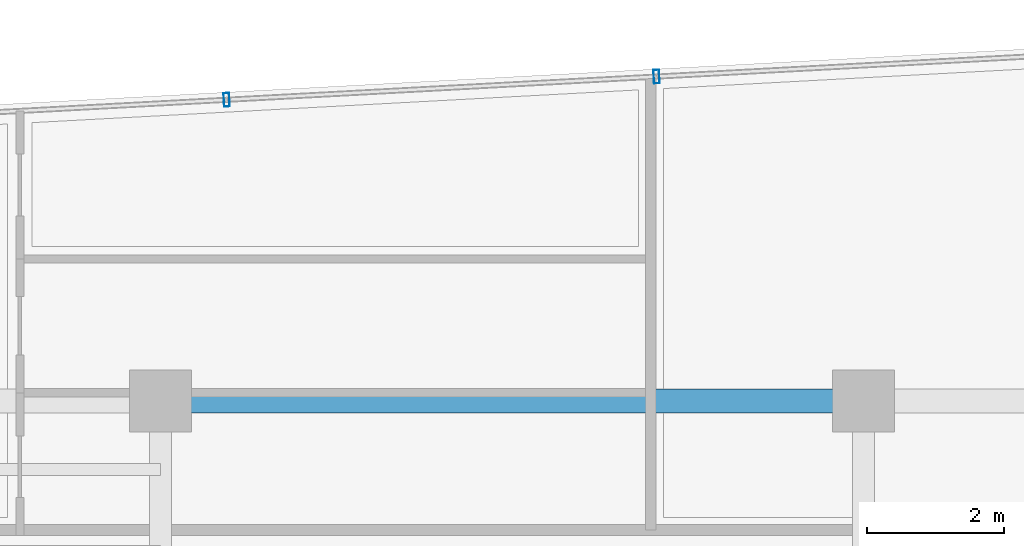
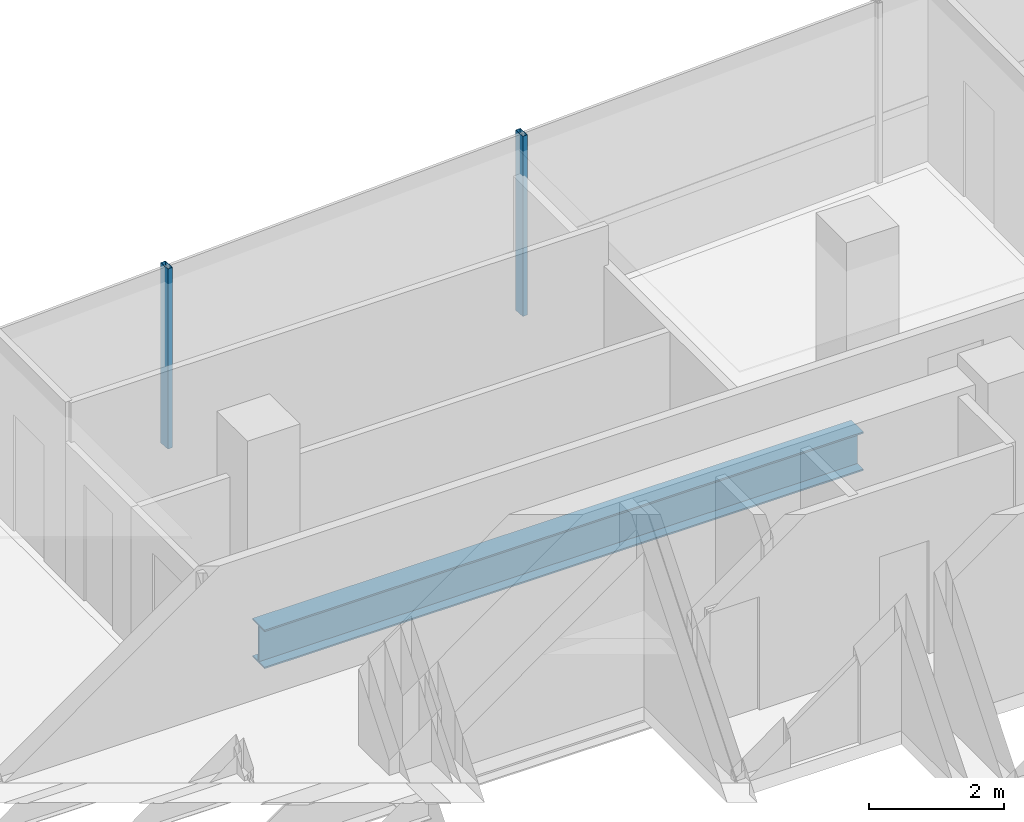
# One storey, part 13 of 23: 2 members, 1 beam, 1 element without a shape of its own.
"""IFC4 building model written with IfcOpenShell, lengths in metres."""

import ifcopenshell
import ifcopenshell.guid

model = None  # the IFC model being written
_history = None  # IfcOwnerHistory: only IFC2X3 demands one
_inside = {}  # id of a spatial element -> (the spatial element, [elements in it])
_under = {}  # id of a project, library or spatial element -> (it, [spatial elements below it])
_declared = {}  # id of a project -> (the project, [libraries it declares])
_typed = {}  # id of a type object -> (the type object, [elements of that type])
_made_of = {}  # id of a material, layer set ... -> (it, [elements and type objects made of it])


def new_model(schema):
    """Start an empty IFC model of exactly this schema.

    Asked for "IFC4X3", IfcOpenShell would pick the latest addendum, in which some entities
    have other attributes; the version numbers below select the first issue.
    IFC2X3 requires an IfcOwnerHistory on every rooted entity: one is made here for all.
    """
    global model, _history
    if schema == "IFC4X3":
        model = ifcopenshell.file(schema_version=(4, 3, 0, 0))
    else:
        model = ifcopenshell.file(schema=schema)
    _inside.clear()
    _under.clear()
    _declared.clear()
    _typed.clear()
    _made_of.clear()
    _history = None
    if model.schema == "IFC2X3":
        org = make("IfcOrganization", Name="unknown")
        user = make(
            "IfcPersonAndOrganization",
            ThePerson=make("IfcPerson", FamilyName="unknown"),
            TheOrganization=org,
        )
        app = make(
            "IfcApplication",
            ApplicationDeveloper=org,
            Version="unknown",
            ApplicationFullName="unknown",
            ApplicationIdentifier="unknown",
        )
        _history = make(
            "IfcOwnerHistory",
            OwningUser=user,
            OwningApplication=app,
            ChangeAction="ADDED",
            CreationDate=0,
        )
    return model


def make(cls, **values):
    """One entity of the class cls with the attributes given. An attribute that is None is left unset."""
    return model.create_entity(
        cls, **{name: value for name, value in values.items() if value is not None}
    )


def rooted(cls, **values):
    """An entity with a GlobalId (a new one), such as an element, a storey or a relation."""
    return make(cls, GlobalId=ifcopenshell.guid.new(), OwnerHistory=_history, **values)


def si_unit(unit_type, name, prefix=None):
    """IfcSIUnit, for example si_unit("LENGTHUNIT", "METRE", prefix="MILLI")."""
    return make("IfcSIUnit", UnitType=unit_type, Prefix=prefix, Name=name)


def assignment(units):
    """IfcUnitAssignment: the units of a project."""
    return None if units is None else make("IfcUnitAssignment", Units=units)


def point(xyz):
    """IfcCartesianPoint."""
    return None if xyz is None else make("IfcCartesianPoint", Coordinates=xyz)


def direction(xyz):
    """IfcDirection."""
    return None if xyz is None else make("IfcDirection", DirectionRatios=xyz)


def frame(location, z_axis=None, x_axis=None):
    """IfcAxis2Placement3D, a coordinate frame: its origin and axes. An axis left out is left unset."""
    return make(
        "IfcAxis2Placement3D",
        Location=point(location),
        Axis=direction(z_axis),
        RefDirection=direction(x_axis),
    )


def frame_2d(location, x_axis=None):
    """IfcAxis2Placement2D, a coordinate frame in the plane: its origin and x axis."""
    return make(
        "IfcAxis2Placement2D", Location=point(location), RefDirection=direction(x_axis)
    )


def origin():
    """The frame at (0, 0, 0) with its axes left unset."""
    return frame((0.0, 0.0, 0.0))


def origin_2d():
    """The frame at (0, 0) in the plane with its x axis left unset."""
    return frame_2d((0.0, 0.0))


def place(relative_to, where):
    """IfcLocalPlacement: puts the frame where relative to a parent placement (None: the world)."""
    return make(
        "IfcLocalPlacement", PlacementRelTo=relative_to, RelativePlacement=where
    )


def context(
    kind, dimensions, precision=None, world=None, true_north=None, identifier=None
):
    """IfcGeometricRepresentationContext, for example the 3D "Model" context."""
    return make(
        "IfcGeometricRepresentationContext",
        ContextIdentifier=identifier,
        ContextType=kind,
        CoordinateSpaceDimension=dimensions,
        Precision=precision,
        WorldCoordinateSystem=world,
        TrueNorth=true_north,
    )


def subcontext(parent, identifier, kind, view, scale=None):
    """IfcGeometricRepresentationSubContext, for example "Body" below "Model"."""
    return make(
        "IfcGeometricRepresentationSubContext",
        ContextIdentifier=identifier,
        ContextType=kind,
        ParentContext=parent,
        TargetScale=scale,
        TargetView=view,
    )


def project(units=None, contexts=None):
    """IfcProject with its units and contexts."""
    return rooted(
        "IfcProject",
        Name="project",
        RepresentationContexts=contexts,
        UnitsInContext=assignment(units),
    )


def spatial(cls, under=None, at=None, **own):
    """A site, building, storey or space (cls), placed at a placement, below another one or the project."""
    s = rooted(cls, ObjectPlacement=at, **own)
    if under is not None:
        _under.setdefault(under.id(), (under, []))[1].append(s)
    return s


def profile(cls, at=None, kind="AREA", **sizes):
    """A parametric profile (cls). Its sizes go by their IFC names, for example OverallWidth=200.0."""
    return make(cls, ProfileType=kind, Position=at, **sizes)


def hollow_rectangle(**sizes):
    """IfcRectangleHollowProfileDef."""
    return profile("IfcRectangleHollowProfileDef", **sizes)


def i_section(**sizes):
    """IfcIShapeProfileDef."""
    return profile("IfcIShapeProfileDef", **sizes)


def extrude(swept, where, along, depth):
    """IfcExtrudedAreaSolid: the profile swept, set in the frame where, extruded along a direction by depth."""
    return make(
        "IfcExtrudedAreaSolid",
        SweptArea=swept,
        Position=where,
        ExtrudedDirection=direction(along),
        Depth=depth,
    )


def shape(context_of_items, identifier, shape_type, items):
    """IfcShapeRepresentation: the items that make up one representation, for example the "Body"."""
    return make(
        "IfcShapeRepresentation",
        ContextOfItems=context_of_items,
        RepresentationIdentifier=identifier,
        RepresentationType=shape_type,
        Items=items,
    )


def source(mapping_origin, context_of_items, identifier, shape_type, items):
    """IfcRepresentationMap: a shape defined once, which mapped items show again and again."""
    return make(
        "IfcRepresentationMap",
        MappingOrigin=mapping_origin,
        MappedRepresentation=shape(context_of_items, identifier, shape_type, items),
    )


def transform(
    local_origin,
    x_axis=None,
    y_axis=None,
    z_axis=None,
    scale=None,
    scale2=None,
    scale3=None,
    uniform=True,
):
    """IfcCartesianTransformationOperator3D, or its non-uniform kind. x_axis, y_axis, z_axis: its Axis1, 2, 3."""
    if uniform:
        return make(
            "IfcCartesianTransformationOperator3D",
            Axis1=direction(x_axis),
            Axis2=direction(y_axis),
            LocalOrigin=point(local_origin),
            Scale=scale,
            Axis3=direction(z_axis),
        )
    return make(
        "IfcCartesianTransformationOperator3DnonUniform",
        Axis1=direction(x_axis),
        Axis2=direction(y_axis),
        LocalOrigin=point(local_origin),
        Scale=scale,
        Axis3=direction(z_axis),
        Scale2=scale2,
        Scale3=scale3,
    )


def mapped(mapping_source, mapping_target):
    """IfcMappedItem: shows the shape of a source again, moved by a transform."""
    return make(
        "IfcMappedItem", MappingSource=mapping_source, MappingTarget=mapping_target
    )


def material(Name=None, Category=None):
    """IfcMaterial."""
    return make("IfcMaterial", Name=Name, Category=Category)


def material_profile(
    of_material, cross_section, Name=None, Category=None, Priority=None
):
    """IfcMaterialProfile: a cross section and its material."""
    return make(
        "IfcMaterialProfile",
        Name=Name,
        Material=of_material,
        Profile=cross_section,
        Priority=Priority,
        Category=Category,
    )


def profile_set(profiles, Name=None, composite=None):
    """IfcMaterialProfileSet."""
    return make(
        "IfcMaterialProfileSet",
        Name=Name,
        MaterialProfiles=profiles,
        CompositeProfile=composite,
    )


def made_of(thing, what):
    """Note that an element or type object is made of a material, layer set ...; save() writes the relation."""
    if what is not None:
        _made_of.setdefault(what.id(), (what, []))[1].append(thing)
    return thing


def type_object(cls, material=None, **own):
    """A type object (cls), such as IfcWallType, which elements share."""
    return made_of(rooted(cls, **own), material)


def element(
    cls,
    number,
    at=None,
    inside=None,
    cuts=None,
    type_object=None,
    material=None,
    context=None,
    identifier="Body",
    shape_type=None,
    held_by="IfcProductDefinitionShape",
    body=None,
    shapes=None,
    **own,
):
    """One element of the class cls, such as IfcWall. Its Tag is "e" and its number.

    at: its placement. inside: the storey or other place that contains it. cuts: it is an
    opening in that element (IfcRelVoidsElement). A single representation is given by context,
    identifier, shape_type and body (its items); several are given by shapes. held_by: the class
    of the entity that holds the representations. save() writes the other relations.
    """
    e = rooted(cls, Tag="e%d" % number, ObjectPlacement=at, **own)
    if body is not None:
        shapes = [shape(context, identifier, shape_type, body)]
    if shapes is not None:
        e.Representation = make(held_by, Representations=shapes)
    if inside is not None:
        _inside.setdefault(inside.id(), (inside, []))[1].append(e)
    if cuts is not None:
        rooted(
            "IfcRelVoidsElement", RelatingBuildingElement=cuts, RelatedOpeningElement=e
        )
    if type_object is not None:
        _typed.setdefault(type_object.id(), (type_object, []))[1].append(e)
    return made_of(e, material)


def aggregate(whole, parts):
    """IfcRelAggregates: a whole, such as a stair, and the parts it consists of."""
    return rooted("IfcRelAggregates", RelatingObject=whole, RelatedObjects=parts)


def save(model, path):
    """Write the relations noted so far, then the file.

    IfcRelAggregates (storeys below a building ...), IfcRelContainedInSpatialStructure (elements
    in a storey), IfcRelDefinesByType, IfcRelAssociatesMaterial and IfcRelDeclares: one each for
    every whole, place, type object, material and project.
    """
    for whole, parts in _under.values():
        aggregate(whole, parts)
    for where, things in _inside.values():
        rooted(
            "IfcRelContainedInSpatialStructure",
            RelatedElements=things,
            RelatingStructure=where,
        )
    for kind, things in _typed.values():
        rooted("IfcRelDefinesByType", RelatedObjects=things, RelatingType=kind)
    for what, things in _made_of.values():
        rooted("IfcRelAssociatesMaterial", RelatedObjects=things, RelatingMaterial=what)
    for by, libraries in _declared.values():
        rooted("IfcRelDeclares", RelatingContext=by, RelatedDefinitions=libraries)
    model.write(path)


model = new_model("IFC4")

# Units and contexts
model_context = context("Model", 3, precision=1e-05, world=origin(), true_north=direction((0.0, 1.0)))
body_context = subcontext(model_context, "Body", "Model", "MODEL_VIEW")
ifc_project = project(units=[si_unit("LENGTHUNIT", "METRE"), si_unit("AREAUNIT", "SQUARE_METRE"), si_unit("VOLUMEUNIT", "CUBIC_METRE"), si_unit("PLANEANGLEUNIT", "RADIAN"), si_unit("MASSUNIT", "GRAM", prefix="KILO")], contexts=[model_context])

# Site, building, storey
site_placement = place(None, origin())
site = spatial("IfcSite", under=ifc_project, at=site_placement, CompositionType="ELEMENT")
building_placement = place(site_placement, origin())
building = spatial("IfcBuilding", under=site, at=building_placement, Name="Valdorenza Pilgrim Sanctuary Tower", CompositionType="ELEMENT")
storey_placement = place(building_placement, frame((0.0, 0.0, 226.5)))
storey = spatial("IfcBuildingStorey", under=building, at=storey_placement, Name="L58", CompositionType="ELEMENT", Elevation=226.5)

# Beam
ifc_material_1 = material(Name="Steel ASTM A992 Grade 50", Category="steel")
ifc_material_profile_1 = material_profile(ifc_material_1, i_section(OverallWidth=0.35595703125, OverallDepth=0.700927734375, WebThickness=0.016845703125, FlangeThickness=0.02734375, at=origin_2d()), Name="W27X161")
ifc_profile_set_1 = profile_set([ifc_material_profile_1], Name="Steel ASTM A992 Grade 50")
beam_type = type_object("IfcBeamType", Name="STR-BM-GRD-W27", PredefinedType="BEAM", material=ifc_profile_set_1)
shared_shape_1 = source(origin(), body_context, "Body", "SweptSolid", [
    extrude(i_section(OverallWidth=0.35595703125, OverallDepth=0.700927734375, WebThickness=0.016845703125, FlangeThickness=0.02734375, at=origin_2d()), origin(), (0.0, 0.0, 1.0), 10.25),
])
beam_placement = place(storey_placement, frame((-22.64990234375, 14.800048828125, -0.590576171875), z_axis=(1.0, 0.0, 0.0), x_axis=(0.0, 1.0, 0.0)))
element("IfcBeam", 1, at=beam_placement, inside=storey, type_object=beam_type, Name="L58 Floor Girder CA-XC-N2", PredefinedType="BEAM", context=body_context, shape_type="MappedRepresentation", body=[
    mapped(shared_shape_1, transform((0.0, 0.0, 0.0), x_axis=(1.0, 0.0, 0.0), y_axis=(0.0, 1.0, 0.0), z_axis=(0.0, 0.0, 1.0), scale=1.0)),
])

# Curtain wall, members
ifc_material_2 = material(Name="Curtain-wall IGU glazing", Category="glass")
curtain_wall_type = type_object("IfcCurtainWallType", Name="CW-SYS-02", PredefinedType="NOTDEFINED", material=ifc_material_2)
curtain_wall_placement = place(storey_placement, origin())
curtain_wall = element("IfcCurtainWall", 2, at=curtain_wall_placement, inside=storey, type_object=curtain_wall_type, Name="L58 Curtain Wall CW-L58-1-6", PredefinedType="NOTDEFINED")
ifc_material_3 = material(Name="Anodised aluminium AW-6060", Category="aluminium")
ifc_material_profile_2 = material_profile(ifc_material_3, hollow_rectangle(XDim=0.0849609375, YDim=0.199951171875, WallThickness=0.0048828125, at=origin_2d()), Name="ALU-M 200x85x5")
ifc_profile_set_2 = profile_set([ifc_material_profile_2], Name="Anodised aluminium AW-6060")
member_type = type_object("IfcMemberType", Name="CW-MUL-02", PredefinedType="MULLION", material=ifc_profile_set_2)
shared_shape_2 = source(origin(), body_context, "Body", "SweptSolid", [
    extrude(hollow_rectangle(XDim=0.0849609375, YDim=0.199951171875, WallThickness=0.0048828125, at=origin_2d()), origin(), (0.0, 0.0, 1.0), 3.260009765625),
])
member_1_placement = place(storey_placement, frame((-21.686279296875, 19.1923828125, 0.0), z_axis=(0.0, 0.0, 1.0), x_axis=(0.998547034311, 0.053887106711, 0.0)))
member_1 = element("IfcMember", 3, at=member_1_placement, type_object=member_type, Name="CW-L58-1-6 Mullion 2", PredefinedType="MULLION", context=body_context, shape_type="MappedRepresentation", body=[
    mapped(shared_shape_2, transform((0.0, 0.0, 0.0), x_axis=(1.0, 0.0, 0.0), y_axis=(0.0, 1.0, 0.0), z_axis=(0.0, 0.0, 1.0), scale=1.0)),
])
member_2_placement = place(storey_placement, frame((-15.4169921875, 19.531005859375, 0.0), z_axis=(0.0, 0.0, 1.0), x_axis=(0.998547034311, 0.053887106711, 0.0)))
member_2 = element("IfcMember", 4, at=member_2_placement, type_object=member_type, Name="CW-L58-1-6 Mullion 3", PredefinedType="MULLION", context=body_context, shape_type="MappedRepresentation", body=[
    mapped(shared_shape_2, transform((0.0, 0.0, 0.0), x_axis=(1.0, 0.0, 0.0), y_axis=(0.0, 1.0, 0.0), z_axis=(0.0, 0.0, 1.0), scale=1.0)),
])
aggregate(curtain_wall, [member_1, member_2])

save(model, "model.ifc")
